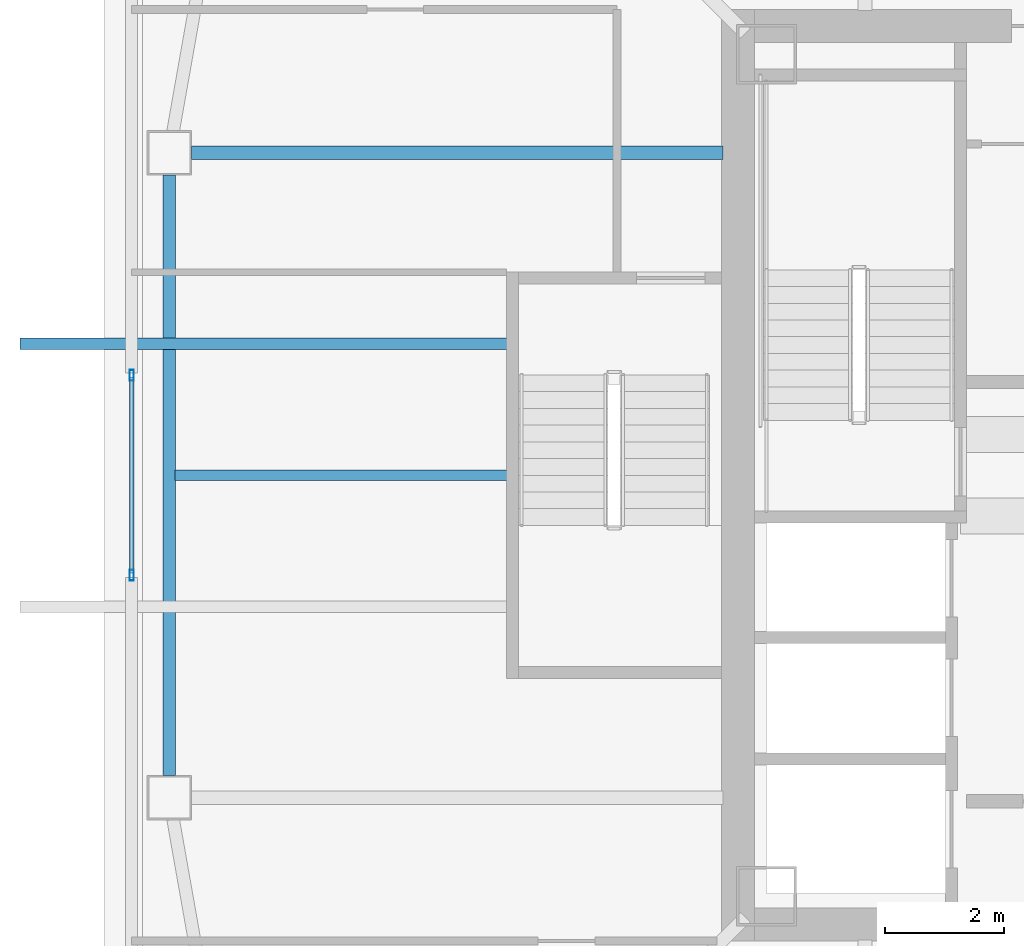
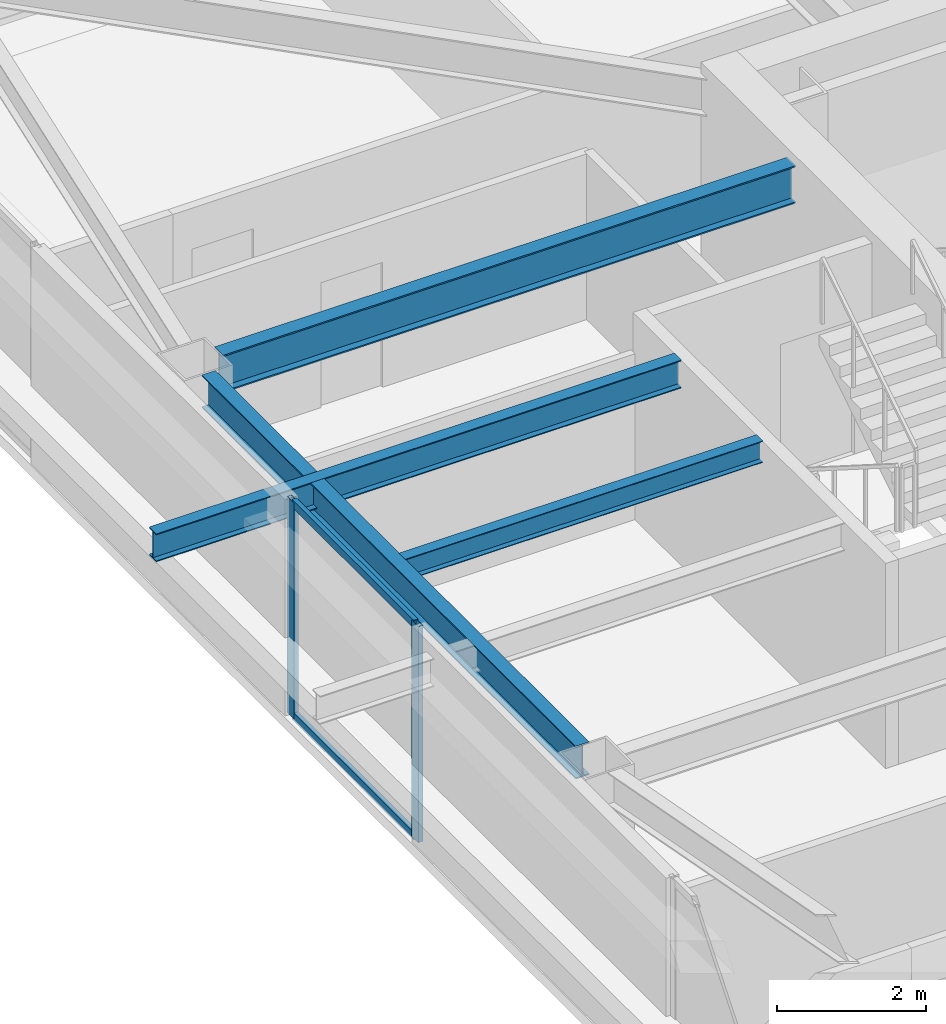
# One storey, part 8 of 44: 4 beams, 4 members, 1 element without a shape of its own.
"""IFC4 building model written with IfcOpenShell, lengths in metres."""

from ifc_helpers import new_model, si_unit, direction, frame, origin, origin_2d, place, context, subcontext, project, spatial, hollow_rectangle, i_section, extrude, material, material_profile, profile_set, type_object, element, aggregate, save


model = new_model("IFC4")

# Units and contexts
model_context = context("Model", 3, precision=1e-05, world=origin(), true_north=direction((0.0, 1.0)))
body_context = subcontext(model_context, "Body", "Model", "MODEL_VIEW")
ifc_project = project(units=[si_unit("LENGTHUNIT", "METRE"), si_unit("AREAUNIT", "SQUARE_METRE"), si_unit("VOLUMEUNIT", "CUBIC_METRE"), si_unit("PLANEANGLEUNIT", "RADIAN"), si_unit("MASSUNIT", "GRAM", prefix="KILO")], contexts=[model_context])

# Site, building, storey
site_placement = place(None, origin())
site = spatial("IfcSite", under=ifc_project, at=site_placement, CompositionType="ELEMENT")
building_placement = place(site_placement, origin())
building = spatial("IfcBuilding", under=site, at=building_placement, Name="Tashvorn Skyway Center", CompositionType="ELEMENT")
storey_placement = place(building_placement, frame((0.0, 0.0, 181.85009765625)))
storey = spatial("IfcBuildingStorey", under=building, at=storey_placement, Name="L49", CompositionType="ELEMENT", Elevation=181.85009765625)

# Beams
ifc_material_1 = material(Name="Steel ASTM A992 Grade 50", Category="steel")
ifc_material_profile_1 = material_profile(ifc_material_1, i_section(OverallWidth=0.22998046875, OverallDepth=0.616943359375, WebThickness=0.01318359375, FlangeThickness=0.022216796875, at=origin_2d()), Name="W24X94")
ifc_profile_set_1 = profile_set([ifc_material_profile_1], Name="Steel ASTM A992 Grade 50")
beam_type_1 = type_object("IfcBeamType", Name="BM-BEAM-W24X94", PredefinedType="BEAM", material=ifc_profile_set_1)
beam_1_placement = place(storey_placement, frame((25.320068359375, 37.39990234375, 3.0615234375), z_axis=(1.0, 0.0, 0.0), x_axis=(0.0, 1.0, 0.0)))
element("IfcBeam", 1, at=beam_1_placement, inside=storey, type_object=beam_type_1, Name="Tower 1 L49 Primary Floor Girder FC-W1", PredefinedType="BEAM", context=body_context, shape_type="SweptSolid", body=[
    extrude(i_section(OverallWidth=0.22998046875, OverallDepth=0.616943359375, WebThickness=0.01318359375, FlangeThickness=0.022216796875, at=origin_2d()), origin(), (0.0, 0.0, 1.0), 8.89990234375),
])
ifc_material_profile_2 = material_profile(ifc_material_1, i_section(OverallWidth=0.1708984375, OverallDepth=0.35498046875, WebThickness=0.007080078125, FlangeThickness=0.01171875, at=origin_2d()), Name="W14X34")
ifc_profile_set_2 = profile_set([ifc_material_profile_2], Name="Steel ASTM A992 Grade 50")
beam_type_2 = type_object("IfcBeamType", Name="BM-JOIST-W14X34", PredefinedType="JOIST", material=ifc_profile_set_2)
beam_2_placement = place(storey_placement, frame((30.610107421875, 32.0, 3.1923828125), z_axis=(-1.0, 0.0, 0.0), x_axis=(0.0, -1.0, 0.0)))
element("IfcBeam", 2, at=beam_2_placement, inside=storey, type_object=beam_type_2, Name="Tower 1 L49 Secondary Composite Joist JW", PredefinedType="JOIST", context=body_context, shape_type="SweptSolid", body=[
    extrude(i_section(OverallWidth=0.1708984375, OverallDepth=0.35498046875, WebThickness=0.007080078125, FlangeThickness=0.01171875, at=origin_2d()), origin(), (0.0, 0.0, 1.0), 5.5625),
])
ifc_material_profile_3 = material_profile(ifc_material_1, i_section(OverallWidth=0.19091796875, OverallDepth=0.4599609375, WebThickness=0.010009765625, FlangeThickness=0.01611328125, at=origin_2d()), Name="W18X55")
ifc_profile_set_3 = profile_set([ifc_material_profile_3], Name="Steel ASTM A992 Grade 50")
beam_type_3 = type_object("IfcBeamType", Name="BM-JOIST-W18X55", PredefinedType="JOIST", material=ifc_profile_set_3)
beam_3_placement = place(storey_placement, frame((30.610107421875, 34.199951171875, 3.139892578125), z_axis=(-1.0, 0.0, 0.0), x_axis=(0.0, -1.0, 0.0)))
element("IfcBeam", 3, at=beam_3_placement, inside=storey, type_object=beam_type_3, Name="Tower 1 L50 Terrace Cantilever Outlooker 2", PredefinedType="JOIST", context=body_context, shape_type="SweptSolid", body=[
    extrude(i_section(OverallWidth=0.19091796875, OverallDepth=0.4599609375, WebThickness=0.010009765625, FlangeThickness=0.01611328125, at=origin_2d()), origin(), (0.0, 0.0, 1.0), 8.16015625),
])
ifc_material_profile_4 = material_profile(ifc_material_1, i_section(OverallWidth=0.2109375, OverallDepth=0.5390625, WebThickness=0.01171875, FlangeThickness=0.018798828125, at=origin_2d()), Name="W21X73")
ifc_profile_set_4 = profile_set([ifc_material_profile_4], Name="Steel ASTM A992 Grade 50")
beam_type_4 = type_object("IfcBeamType", Name="BM-SPANDREL-W21X73", PredefinedType="SPANDREL", material=ifc_profile_set_4)
beam_4_placement = place(storey_placement, frame((24.949951171875, 37.030029296875, 3.100341796875), z_axis=(0.0, -1.0, 0.0), x_axis=(1.0, 0.0, 0.0)))
element("IfcBeam", 4, at=beam_4_placement, inside=storey, type_object=beam_type_4, Name="Tower 1 L49 Spandrel Beam 11", PredefinedType="SPANDREL", context=body_context, shape_type="SweptSolid", body=[
    extrude(i_section(OverallWidth=0.2109375, OverallDepth=0.5390625, WebThickness=0.01171875, FlangeThickness=0.018798828125, at=origin_2d()), origin(), (0.0, 0.0, 1.0), 10.06005859375),
])

# Curtain wall, members
ifc_material_2 = material(Name="Thermally broken bronze-anodized aluminium 6063-T6", Category="aluminium")
curtain_wall_type = type_object("IfcCurtainWallType", Name="CW-CW-Z4", PredefinedType="NOTDEFINED", material=ifc_material_2)
curtain_wall_placement = place(storey_placement, origin())
curtain_wall = element("IfcCurtainWall", 5, at=curtain_wall_placement, inside=storey, type_object=curtain_wall_type, Name="Tower 1 L49 West Unitised Curtain Wall Glazing Group 2", PredefinedType="NOTDEFINED")
ifc_material_profile_5 = material_profile(ifc_material_2, hollow_rectangle(XDim=0.070068359375, YDim=0.179931640625, WallThickness=0.00390625, at=origin_2d()), Name="ALU-MULL-70x180")
ifc_profile_set_5 = profile_set([ifc_material_profile_5], Name="Thermally broken bronze-anodized aluminium 6063-T6")
member_type_1 = type_object("IfcMemberType", Name="CWM-CW-Z4", PredefinedType="MULLION", material=ifc_profile_set_5)
member_1_placement = place(storey_placement, frame((24.320068359375, 30.326171875, 0.0), z_axis=(0.0, 0.0, 1.0), x_axis=(-1.0, 0.0, 0.0)))
member_1 = element("IfcMember", 6, at=member_1_placement, type_object=member_type_1, Name="CW-Z4 mullion 1", PredefinedType="MULLION", context=body_context, shape_type="SweptSolid", body=[
    extrude(hollow_rectangle(XDim=0.070068359375, YDim=0.179931640625, WallThickness=0.00390625, at=origin_2d()), origin(), (0.0, 0.0, 1.0), 3.5498046875),
])
member_2_placement = place(storey_placement, frame((24.320068359375, 33.673828125, 0.0), z_axis=(0.0, 0.0, 1.0), x_axis=(-1.0, 0.0, 0.0)))
member_2 = element("IfcMember", 7, at=member_2_placement, type_object=member_type_1, Name="CW-Z4 mullion 2", PredefinedType="MULLION", context=body_context, shape_type="SweptSolid", body=[
    extrude(hollow_rectangle(XDim=0.070068359375, YDim=0.179931640625, WallThickness=0.00390625, at=origin_2d()), origin(), (0.0, 0.0, 1.0), 3.5498046875),
])
ifc_material_profile_6 = material_profile(ifc_material_2, hollow_rectangle(XDim=0.070068359375, YDim=0.1298828125, WallThickness=0.00390625, at=origin_2d()), Name="ALU-TRAN-70x130")
ifc_profile_set_6 = profile_set([ifc_material_profile_6], Name="Thermally broken bronze-anodized aluminium 6063-T6")
member_type_2 = type_object("IfcMemberType", Name="CWT-CW-Z4", PredefinedType="USERDEFINED", material=ifc_profile_set_6)
member_3_placement = place(storey_placement, frame((24.320068359375, 30.361083984375, 0.034912109375), z_axis=(0.0, 1.0, 0.0), x_axis=(-1.0, 0.0, 0.0)))
member_3 = element("IfcMember", 8, at=member_3_placement, type_object=member_type_2, Name="CW-Z4 transom 1.1", ObjectType="TRANSOM", PredefinedType="USERDEFINED", context=body_context, shape_type="SweptSolid", body=[
    extrude(hollow_rectangle(XDim=0.070068359375, YDim=0.1298828125, WallThickness=0.00390625, at=origin_2d()), origin(), (0.0, 0.0, 1.0), 3.27783203125),
])
member_4_placement = place(storey_placement, frame((24.320068359375, 30.361083984375, 3.514892578125), z_axis=(0.0, 1.0, 0.0), x_axis=(-1.0, 0.0, 0.0)))
member_4 = element("IfcMember", 9, at=member_4_placement, type_object=member_type_2, Name="CW-Z4 transom 1.2", ObjectType="TRANSOM", PredefinedType="USERDEFINED", context=body_context, shape_type="SweptSolid", body=[
    extrude(hollow_rectangle(XDim=0.070068359375, YDim=0.1298828125, WallThickness=0.00390625, at=origin_2d()), origin(), (0.0, 0.0, 1.0), 3.27783203125),
])
aggregate(curtain_wall, [member_1, member_2, member_3, member_4])

save(model, "model.ifc")
